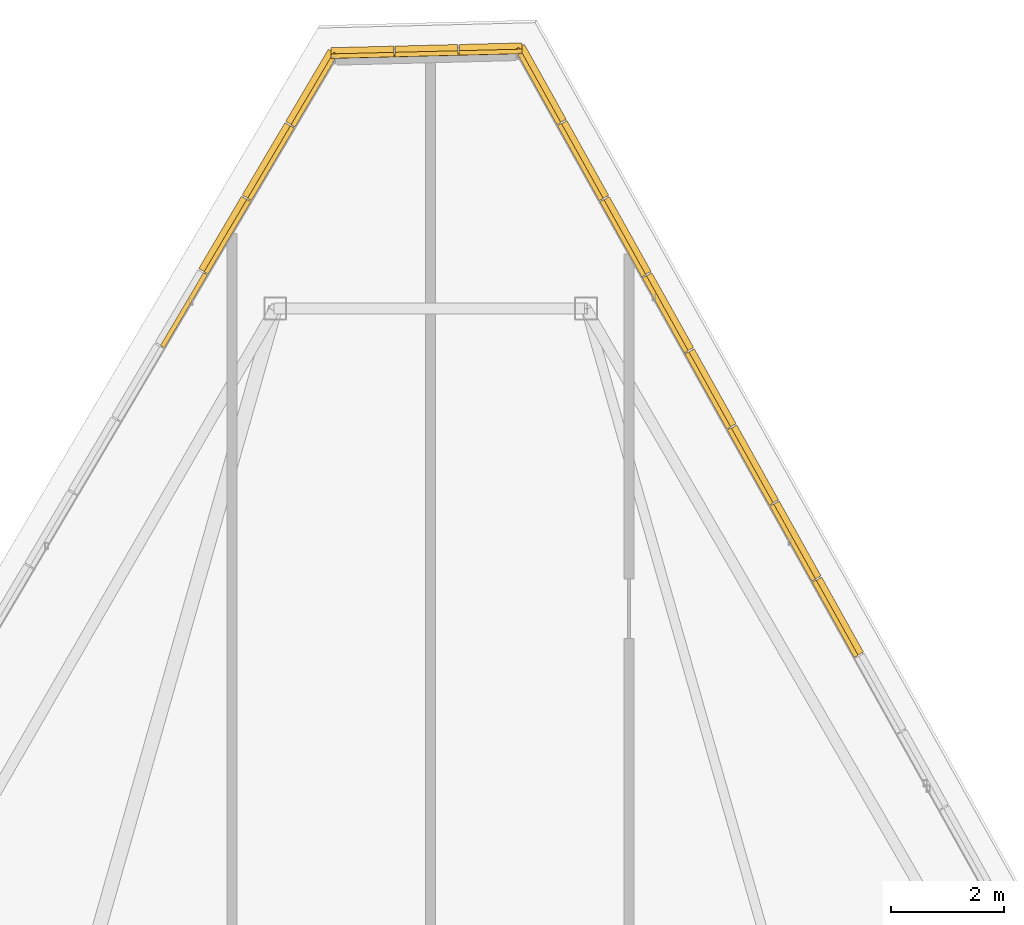
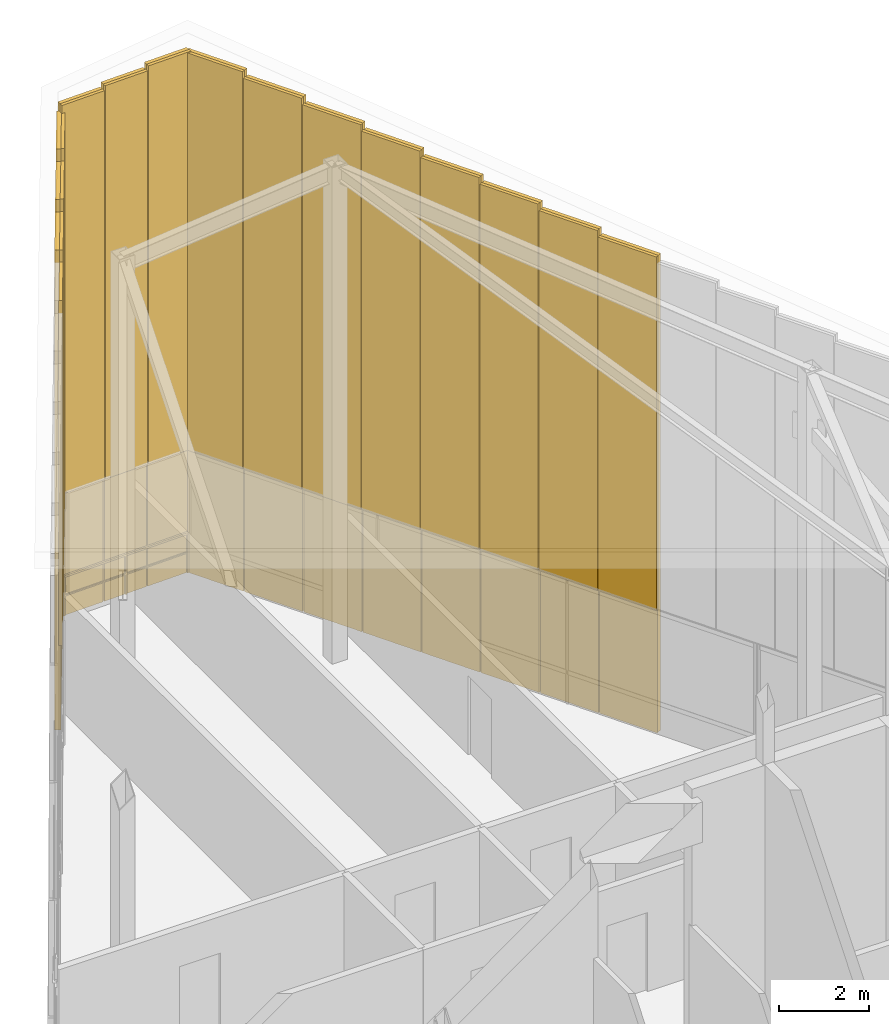
# One storey, part 50 of 50: 15 coverings, 14 shading devices, 1 railing.
"""IFC4 building model written with IfcOpenShell, lengths in metres."""

from ifc_helpers import new_model, si_unit, direction, frame, origin, origin_2d, place, context, subcontext, project, spatial, rectangle, extrude, source, transform, mapped, material, layer, layer_set, type_object, type_shapes, element, save


model = new_model("IFC4")

# Units and contexts
model_context = context("Model", 3, precision=1e-05, world=origin(), true_north=direction((0.0, 1.0)))
body_context = subcontext(model_context, "Body", "Model", "MODEL_VIEW")
ifc_project = project(units=[si_unit("LENGTHUNIT", "METRE"), si_unit("AREAUNIT", "SQUARE_METRE"), si_unit("VOLUMEUNIT", "CUBIC_METRE"), si_unit("PLANEANGLEUNIT", "RADIAN"), si_unit("MASSUNIT", "GRAM", prefix="KILO")], contexts=[model_context])

# Site, building, storey
site_placement = place(None, origin())
site = spatial("IfcSite", under=ifc_project, at=site_placement, CompositionType="ELEMENT")
building_placement = place(site_placement, origin())
building = spatial("IfcBuilding", under=site, at=building_placement, Name="Caelisora Broadcast Tower", CompositionType="ELEMENT")
storey_placement = place(building_placement, frame((0.0, 0.0, 303.39990234375)))
storey = spatial("IfcBuildingStorey", under=building, at=storey_placement, Name="L80", CompositionType="ELEMENT", Elevation=303.39990234375)

# Railing
ifc_material_1 = material(Name="Galvanised Steel Safety Guardrail", Category="steel")
ifc_layer_1 = layer(ifc_material_1, 0.048095703125, Name="Galvanised Steel Safety Guardrail")
ifc_layer_set_1 = layer_set([ifc_layer_1], Name="Galvanised Steel Safety Guardrail")
railing_type = type_object("IfcRailingType", Name="GR-1", PredefinedType="GUARDRAIL", material=ifc_layer_set_1)
railing_placement = place(storey_placement, frame((36.31298828125, 51.18603515625, 0.0)))
element("IfcRailing", 1, at=railing_placement, inside=storey, type_object=railing_type, Name="L80 balustrade GR-1 #05", PredefinedType="GUARDRAIL", context=body_context, shape_type="SweptSolid", body=[
    extrude(rectangle(XDim=0.048095703125, YDim=0.048095703125, at=origin_2d()), frame((0.0, 0.0, 1.076171875), z_axis=(0.999684901337, 0.025101753687, 0.0), x_axis=(-0.025101753687, 0.999684901337, 0.0)), (0.0, 0.0, 1.0), 3.22900390625),
    extrude(rectangle(XDim=0.03125, YDim=0.03125, at=origin_2d()), frame((0.0, 0.0, 0.550048828125), z_axis=(0.999684901337, 0.025101753687, 0.0), x_axis=(-0.025101753687, 0.999684901337, 0.0)), (0.0, 0.0, 1.0), 3.22900390625),
    extrude(rectangle(XDim=0.0419921875, YDim=0.0419921875, at=origin_2d()), origin(), (0.0, 0.0, 1.0), 1.052001953125),
    extrude(rectangle(XDim=0.0419921875, YDim=0.0419921875, at=origin_2d()), frame((1.614013671875, 0.04052734375, 0.0)), (0.0, 0.0, 1.0), 1.052001953125),
    extrude(rectangle(XDim=0.0419921875, YDim=0.0419921875, at=origin_2d()), frame((3.22802734375, 0.0810546875, 0.0)), (0.0, 0.0, 1.0), 1.052001953125),
])

# Shading device
ifc_material_2 = material(Name="Anodised Terracotta Aluminium Acoustic Louvre", Category="aluminium")
ifc_layer_2 = layer(ifc_material_2, 0.139892578125, Name="Anodised Terracotta Aluminium Acoustic Louvre")
ifc_layer_set_2 = layer_set([ifc_layer_2], Name="Anodised Terracotta Aluminium Acoustic Louvre")
shading_device_type = type_object("IfcShadingDeviceType", Name="LV-1", PredefinedType="JALOUSIE", material=ifc_layer_set_2)
shared_shape_1 = source(origin(), body_context, "Body", "SweptSolid", [
    extrude(rectangle(XDim=1.100341796875, YDim=0.139892578125, at=origin_2d()), origin(), (0.0, 0.0, 1.0), 14.197021484375),
])
shading_device_1_placement = place(storey_placement, frame((39.05810546875, 51.354736328125, -0.02001953125), z_axis=(0.0, 0.0, 1.0), x_axis=(-0.999684189283, -0.025130095443, 0.0)))
element("IfcShadingDevice", 2, at=shading_device_1_placement, inside=storey, type_object=shading_device_type, Name="L80 crown acoustic louvre #001", PredefinedType="JALOUSIE", context=body_context, shape_type="MappedRepresentation", body=[
    mapped(shared_shape_1, transform((0.0, 0.0, 0.0), scale=1.0)),
])

# Covering
ifc_material_3 = material(Name="Kiln-Fired Terracotta Spandrel Rainscreen Cladding", Category="ceramic")
ifc_layer_3 = layer(ifc_material_3, 0.044921875, Name="Kiln-Fired Terracotta Spandrel Rainscreen Cladding")
ifc_layer_set_3 = layer_set([ifc_layer_3], Name="Kiln-Fired Terracotta Spandrel Rainscreen Cladding")
covering_type = type_object("IfcCoveringType", Name="CL-1", PredefinedType="CLADDING", material=ifc_layer_set_3)
shared_shape_2 = source(origin(), body_context, "Body", "SweptSolid", [
    extrude(rectangle(XDim=1.1103515625, YDim=0.080078125, at=origin_2d()), origin(), (0.0, 0.0, 1.0), 10.846923828125),
])
covering_1_placement = place(storey_placement, frame((39.06005859375, 51.27490234375, 3.34033203125), z_axis=(0.0, 0.0, 1.0), x_axis=(-0.999684189283, -0.025130095443, 0.0)))
element("IfcCovering", 3, at=covering_1_placement, inside=storey, type_object=covering_type, Name="L80 crown fascia cladding #001", PredefinedType="CLADDING", context=body_context, shape_type="MappedRepresentation", body=[
    mapped(shared_shape_2, transform((0.0, 0.0, 0.0), scale=1.0)),
])

# Shading device
shared_shape_3 = source(origin(), body_context, "Body", "SweptSolid", [
    extrude(rectangle(XDim=1.100341796875, YDim=0.139892578125, at=origin_2d()), origin(), (0.0, 0.0, 1.0), 14.070068359375),
])
shading_device_2_placement = place(storey_placement, frame((37.927978515625, 51.326416015625, -0.02001953125), z_axis=(0.0, 0.0, 1.0), x_axis=(-0.999684189283, -0.025130095443, 0.0)))
element("IfcShadingDevice", 4, at=shading_device_2_placement, inside=storey, type_object=shading_device_type, Name="L80 crown acoustic louvre #002", PredefinedType="JALOUSIE", context=body_context, shape_type="MappedRepresentation", body=[
    mapped(shared_shape_3, transform((0.0, 0.0, 0.0), scale=1.0)),
])

# Covering
shared_shape_4 = source(origin(), body_context, "Body", "SweptSolid", [
    extrude(rectangle(XDim=1.1103515625, YDim=0.080078125, at=origin_2d()), origin(), (0.0, 0.0, 1.0), 10.719970703125),
])
covering_2_placement = place(storey_placement, frame((37.929931640625, 51.24658203125, 3.34033203125), z_axis=(0.0, 0.0, 1.0), x_axis=(-0.999684189283, -0.025130095443, 0.0)))
element("IfcCovering", 5, at=covering_2_placement, inside=storey, type_object=covering_type, Name="L80 crown fascia cladding #002", PredefinedType="CLADDING", context=body_context, shape_type="MappedRepresentation", body=[
    mapped(shared_shape_4, transform((0.0, 0.0, 0.0), scale=1.0)),
])

# Shading device
shared_shape_5 = source(origin(), body_context, "Body", "SweptSolid", [
    extrude(rectangle(XDim=1.100341796875, YDim=0.139892578125, at=origin_2d()), origin(), (0.0, 0.0, 1.0), 13.944091796875),
])
shading_device_3_placement = place(storey_placement, frame((36.798095703125, 51.298095703125, -0.02001953125), z_axis=(0.0, 0.0, 1.0), x_axis=(-0.999684189283, -0.025130095443, 0.0)))
element("IfcShadingDevice", 6, at=shading_device_3_placement, inside=storey, type_object=shading_device_type, Name="L80 crown acoustic louvre #003", PredefinedType="JALOUSIE", context=body_context, shape_type="MappedRepresentation", body=[
    mapped(shared_shape_5, transform((0.0, 0.0, 0.0), scale=1.0)),
])

# Covering
shared_shape_6 = source(origin(), body_context, "Body", "SweptSolid", [
    extrude(rectangle(XDim=1.1103515625, YDim=0.080078125, at=origin_2d()), origin(), (0.0, 0.0, 1.0), 10.593994140625),
])
covering_3_placement = place(storey_placement, frame((36.800048828125, 51.21826171875, 3.34033203125), z_axis=(0.0, 0.0, 1.0), x_axis=(-0.999684189283, -0.025130095443, 0.0)))
element("IfcCovering", 7, at=covering_3_placement, inside=storey, type_object=covering_type, Name="L80 crown fascia cladding #003", PredefinedType="CLADDING", context=body_context, shape_type="MappedRepresentation", body=[
    mapped(shared_shape_6, transform((0.0, 0.0, 0.0), scale=1.0)),
])

# Shading device
shared_shape_7 = source(origin(), body_context, "Body", "SweptSolid", [
    extrude(rectangle(XDim=1.475830078125, YDim=0.139892578125, at=origin_2d()), origin(), (0.0, 0.0, 1.0), 13.72607421875),
])
shading_device_4_placement = place(storey_placement, frame((35.88330078125, 50.655517578125, -0.02001953125), z_axis=(0.0, 0.0, 1.0), x_axis=(-0.508891180174, -0.860830858381, 0.0)))
element("IfcShadingDevice", 8, at=shading_device_4_placement, inside=storey, type_object=shading_device_type, Name="L80 crown acoustic louvre #004", PredefinedType="JALOUSIE", context=body_context, shape_type="MappedRepresentation", body=[
    mapped(shared_shape_7, transform((0.0, 0.0, 0.0), scale=1.0)),
])

# Covering
shared_shape_8 = source(origin(), body_context, "Body", "SweptSolid", [
    extrude(rectangle(XDim=1.48583984375, YDim=0.080078125, at=origin_2d()), origin(), (0.0, 0.0, 1.0), 10.3759765625),
])
covering_4_placement = place(storey_placement, frame((35.9521484375, 50.61474609375, 3.340087890625), z_axis=(0.0, 0.0, 1.0), x_axis=(-0.508891180174, -0.860830858381, 0.0)))
element("IfcCovering", 9, at=covering_4_placement, inside=storey, type_object=covering_type, Name="L80 crown fascia cladding #004", PredefinedType="CLADDING", context=body_context, shape_type="MappedRepresentation", body=[
    mapped(shared_shape_8, transform((0.0, 0.0, 0.0), scale=1.0)),
])

# Shading device
shared_shape_9 = source(origin(), body_context, "Body", "SweptSolid", [
    extrude(rectangle(XDim=1.475830078125, YDim=0.139892578125, at=origin_2d()), origin(), (0.0, 0.0, 1.0), 13.402099609375),
])
shading_device_5_placement = place(storey_placement, frame((35.116943359375, 49.359130859375, -0.02001953125), z_axis=(0.0, 0.0, 1.0), x_axis=(-0.508891180174, -0.860830858381, 0.0)))
element("IfcShadingDevice", 10, at=shading_device_5_placement, inside=storey, type_object=shading_device_type, Name="L80 crown acoustic louvre #005", PredefinedType="JALOUSIE", context=body_context, shape_type="MappedRepresentation", body=[
    mapped(shared_shape_9, transform((0.0, 0.0, 0.0), scale=1.0)),
])

# Covering
shared_shape_10 = source(origin(), body_context, "Body", "SweptSolid", [
    extrude(rectangle(XDim=1.48583984375, YDim=0.080078125, at=origin_2d()), origin(), (0.0, 0.0, 1.0), 10.052001953125),
])
covering_5_placement = place(storey_placement, frame((35.185791015625, 49.318359375, 3.34033203125), z_axis=(0.0, 0.0, 1.0), x_axis=(-0.508891180174, -0.860830858381, 0.0)))
element("IfcCovering", 11, at=covering_5_placement, inside=storey, type_object=covering_type, Name="L80 crown fascia cladding #005", PredefinedType="CLADDING", context=body_context, shape_type="MappedRepresentation", body=[
    mapped(shared_shape_10, transform((0.0, 0.0, 0.0), scale=1.0)),
])

# Shading device
shared_shape_11 = source(origin(), body_context, "Body", "SweptSolid", [
    extrude(rectangle(XDim=1.475830078125, YDim=0.139892578125, at=origin_2d()), origin(), (0.0, 0.0, 1.0), 13.077880859375),
])
shading_device_6_placement = place(storey_placement, frame((34.3505859375, 48.062744140625, -0.02001953125), z_axis=(0.0, 0.0, 1.0), x_axis=(-0.508891180174, -0.860830858381, 0.0)))
element("IfcShadingDevice", 12, at=shading_device_6_placement, inside=storey, type_object=shading_device_type, Name="L80 crown acoustic louvre #006", PredefinedType="JALOUSIE", context=body_context, shape_type="MappedRepresentation", body=[
    mapped(shared_shape_11, transform((0.0, 0.0, 0.0), scale=1.0)),
])

# Coverings
shared_shape_12 = source(origin(), body_context, "Body", "SweptSolid", [
    extrude(rectangle(XDim=1.48583984375, YDim=0.080078125, at=origin_2d()), origin(), (0.0, 0.0, 1.0), 9.72802734375),
])
covering_6_placement = place(storey_placement, frame((34.41943359375, 48.022216796875, 3.340087890625), z_axis=(0.0, 0.0, 1.0), x_axis=(-0.508891180174, -0.860830858381, 0.0)))
element("IfcCovering", 13, at=covering_6_placement, inside=storey, type_object=covering_type, Name="L80 crown fascia cladding #006", PredefinedType="CLADDING", context=body_context, shape_type="MappedRepresentation", body=[
    mapped(shared_shape_12, transform((0.0, 0.0, 0.0), scale=1.0)),
])
shared_shape_13 = source(origin(), body_context, "Body", "SweptSolid", [
    extrude(rectangle(XDim=1.48583984375, YDim=0.080078125, at=origin_2d()), origin(), (0.0, 0.0, 1.0), 9.404052734375),
])
covering_7_placement = place(storey_placement, frame((33.653076171875, 46.725830078125, 3.33984375), z_axis=(0.0, 0.0, 1.0), x_axis=(-0.508891180174, -0.860830858381, 0.0)))
element("IfcCovering", 14, at=covering_7_placement, inside=storey, type_object=covering_type, Name="L80 crown fascia cladding #007", PredefinedType="CLADDING", context=body_context, shape_type="MappedRepresentation", body=[
    mapped(shared_shape_13, transform((0.0, 0.0, 0.0), scale=1.0)),
])

# Shading device
shared_shape_14 = source(origin(), body_context, "Body", "SweptSolid", [
    extrude(rectangle(XDim=1.506591796875, YDim=0.139892578125, at=origin_2d()), origin(), (0.0, 0.0, 1.0), 12.989990234375),
])
shading_device_7_placement = place(storey_placement, frame((45.201904296875, 41.32666015625, -0.02001953125), z_axis=(0.0, 0.0, 1.0), x_axis=(-0.487250125725, 0.87326245481, 0.0)))
element("IfcShadingDevice", 15, at=shading_device_7_placement, inside=storey, type_object=shading_device_type, Name="L80 crown acoustic louvre #090", PredefinedType="JALOUSIE", context=body_context, shape_type="MappedRepresentation", body=[
    mapped(shared_shape_14, transform((0.0, 0.0, 0.0), scale=1.0)),
])

# Covering
shared_shape_15 = source(origin(), body_context, "Body", "SweptSolid", [
    extrude(rectangle(XDim=1.5166015625, YDim=0.080078125, at=origin_2d()), origin(), (0.0, 0.0, 1.0), 9.639892578125),
])
covering_8_placement = place(storey_placement, frame((45.132080078125, 41.28759765625, 3.34033203125), z_axis=(0.0, 0.0, 1.0), x_axis=(-0.487250125725, 0.87326245481, 0.0)))
element("IfcCovering", 16, at=covering_8_placement, inside=storey, type_object=covering_type, Name="L80 crown fascia cladding #090", PredefinedType="CLADDING", context=body_context, shape_type="MappedRepresentation", body=[
    mapped(shared_shape_15, transform((0.0, 0.0, 0.0), scale=1.0)),
])

# Shading device
shared_shape_16 = source(origin(), body_context, "Body", "SweptSolid", [
    extrude(rectangle(XDim=1.506591796875, YDim=0.139892578125, at=origin_2d()), origin(), (0.0, 0.0, 1.0), 13.159912109375),
])
shading_device_8_placement = place(storey_placement, frame((44.453369140625, 42.668212890625, -0.02001953125), z_axis=(0.0, 0.0, 1.0), x_axis=(-0.487250125725, 0.87326245481, 0.0)))
element("IfcShadingDevice", 17, at=shading_device_8_placement, inside=storey, type_object=shading_device_type, Name="L80 crown acoustic louvre #091", PredefinedType="JALOUSIE", context=body_context, shape_type="MappedRepresentation", body=[
    mapped(shared_shape_16, transform((0.0, 0.0, 0.0), scale=1.0)),
])

# Covering
shared_shape_17 = source(origin(), body_context, "Body", "SweptSolid", [
    extrude(rectangle(XDim=1.5166015625, YDim=0.080078125, at=origin_2d()), origin(), (0.0, 0.0, 1.0), 9.81005859375),
])
covering_9_placement = place(storey_placement, frame((44.383544921875, 42.62939453125, 3.340087890625), z_axis=(0.0, 0.0, 1.0), x_axis=(-0.487250125725, 0.87326245481, 0.0)))
element("IfcCovering", 18, at=covering_9_placement, inside=storey, type_object=covering_type, Name="L80 crown fascia cladding #091", PredefinedType="CLADDING", context=body_context, shape_type="MappedRepresentation", body=[
    mapped(shared_shape_17, transform((0.0, 0.0, 0.0), scale=1.0)),
])

# Shading device
shared_shape_18 = source(origin(), body_context, "Body", "SweptSolid", [
    extrude(rectangle(XDim=1.506591796875, YDim=0.139892578125, at=origin_2d()), origin(), (0.0, 0.0, 1.0), 13.3291015625),
])
shading_device_9_placement = place(storey_placement, frame((43.70458984375, 44.010009765625, -0.02001953125), z_axis=(0.0, 0.0, 1.0), x_axis=(-0.487250125725, 0.87326245481, 0.0)))
element("IfcShadingDevice", 19, at=shading_device_9_placement, inside=storey, type_object=shading_device_type, Name="L80 crown acoustic louvre #092", PredefinedType="JALOUSIE", context=body_context, shape_type="MappedRepresentation", body=[
    mapped(shared_shape_18, transform((0.0, 0.0, 0.0), scale=1.0)),
])

# Covering
shared_shape_19 = source(origin(), body_context, "Body", "SweptSolid", [
    extrude(rectangle(XDim=1.5166015625, YDim=0.080078125, at=origin_2d()), origin(), (0.0, 0.0, 1.0), 9.97900390625),
])
covering_10_placement = place(storey_placement, frame((43.634765625, 43.970947265625, 3.340087890625), z_axis=(0.0, 0.0, 1.0), x_axis=(-0.487250125725, 0.87326245481, 0.0)))
element("IfcCovering", 20, at=covering_10_placement, inside=storey, type_object=covering_type, Name="L80 crown fascia cladding #092", PredefinedType="CLADDING", context=body_context, shape_type="MappedRepresentation", body=[
    mapped(shared_shape_19, transform((0.0, 0.0, 0.0), scale=1.0)),
])

# Shading device
shared_shape_20 = source(origin(), body_context, "Body", "SweptSolid", [
    extrude(rectangle(XDim=1.506591796875, YDim=0.139892578125, at=origin_2d()), origin(), (0.0, 0.0, 1.0), 13.498046875),
])
shading_device_10_placement = place(storey_placement, frame((42.9560546875, 45.351806640625, -0.02001953125), z_axis=(0.0, 0.0, 1.0), x_axis=(-0.487250125725, 0.87326245481, 0.0)))
element("IfcShadingDevice", 21, at=shading_device_10_placement, inside=storey, type_object=shading_device_type, Name="L80 crown acoustic louvre #093", PredefinedType="JALOUSIE", context=body_context, shape_type="MappedRepresentation", body=[
    mapped(shared_shape_20, transform((0.0, 0.0, 0.0), scale=1.0)),
])

# Covering
shared_shape_21 = source(origin(), body_context, "Body", "SweptSolid", [
    extrude(rectangle(XDim=1.5166015625, YDim=0.080078125, at=origin_2d()), origin(), (0.0, 0.0, 1.0), 10.14794921875),
])
covering_11_placement = place(storey_placement, frame((42.88623046875, 45.312744140625, 3.340087890625), z_axis=(0.0, 0.0, 1.0), x_axis=(-0.487250125725, 0.87326245481, 0.0)))
element("IfcCovering", 22, at=covering_11_placement, inside=storey, type_object=covering_type, Name="L80 crown fascia cladding #093", PredefinedType="CLADDING", context=body_context, shape_type="MappedRepresentation", body=[
    mapped(shared_shape_21, transform((0.0, 0.0, 0.0), scale=1.0)),
])

# Shading device
shared_shape_22 = source(origin(), body_context, "Body", "SweptSolid", [
    extrude(rectangle(XDim=1.506591796875, YDim=0.139892578125, at=origin_2d()), origin(), (0.0, 0.0, 1.0), 13.66796875),
])
shading_device_11_placement = place(storey_placement, frame((42.20751953125, 46.693603515625, -0.019775390625), z_axis=(0.0, 0.0, 1.0), x_axis=(-0.487250125725, 0.87326245481, 0.0)))
element("IfcShadingDevice", 23, at=shading_device_11_placement, inside=storey, type_object=shading_device_type, Name="L80 crown acoustic louvre #094", PredefinedType="JALOUSIE", context=body_context, shape_type="MappedRepresentation", body=[
    mapped(shared_shape_22, transform((0.0, 0.0, 0.0), scale=1.0)),
])

# Covering
shared_shape_23 = source(origin(), body_context, "Body", "SweptSolid", [
    extrude(rectangle(XDim=1.5166015625, YDim=0.080078125, at=origin_2d()), origin(), (0.0, 0.0, 1.0), 10.318115234375),
])
covering_12_placement = place(storey_placement, frame((42.137451171875, 46.654541015625, 3.33984375), z_axis=(0.0, 0.0, 1.0), x_axis=(-0.487250125725, 0.87326245481, 0.0)))
element("IfcCovering", 24, at=covering_12_placement, inside=storey, type_object=covering_type, Name="L80 crown fascia cladding #094", PredefinedType="CLADDING", context=body_context, shape_type="MappedRepresentation", body=[
    mapped(shared_shape_23, transform((0.0, 0.0, 0.0), scale=1.0)),
])

# Shading device
shared_shape_24 = source(origin(), body_context, "Body", "SweptSolid", [
    extrude(rectangle(XDim=1.506591796875, YDim=0.139892578125, at=origin_2d()), origin(), (0.0, 0.0, 1.0), 13.8369140625),
])
shading_device_12_placement = place(storey_placement, frame((41.458740234375, 48.03515625, -0.019775390625), z_axis=(0.0, 0.0, 1.0), x_axis=(-0.487250125725, 0.87326245481, 0.0)))
element("IfcShadingDevice", 25, at=shading_device_12_placement, inside=storey, type_object=shading_device_type, Name="L80 crown acoustic louvre #095", PredefinedType="JALOUSIE", context=body_context, shape_type="MappedRepresentation", body=[
    mapped(shared_shape_24, transform((0.0, 0.0, 0.0), scale=1.0)),
])

# Covering
shared_shape_25 = source(origin(), body_context, "Body", "SweptSolid", [
    extrude(rectangle(XDim=1.5166015625, YDim=0.080078125, at=origin_2d()), origin(), (0.0, 0.0, 1.0), 10.487060546875),
])
covering_13_placement = place(storey_placement, frame((41.388916015625, 47.99609375, 3.33984375), z_axis=(0.0, 0.0, 1.0), x_axis=(-0.487250125725, 0.87326245481, 0.0)))
element("IfcCovering", 26, at=covering_13_placement, inside=storey, type_object=covering_type, Name="L80 crown fascia cladding #095", PredefinedType="CLADDING", context=body_context, shape_type="MappedRepresentation", body=[
    mapped(shared_shape_25, transform((0.0, 0.0, 0.0), scale=1.0)),
])

# Shading device
shared_shape_26 = source(origin(), body_context, "Body", "SweptSolid", [
    extrude(rectangle(XDim=1.506591796875, YDim=0.139892578125, at=origin_2d()), origin(), (0.0, 0.0, 1.0), 14.006103515625),
])
shading_device_13_placement = place(storey_placement, frame((40.710205078125, 49.376953125, -0.02001953125), z_axis=(0.0, 0.0, 1.0), x_axis=(-0.487250125725, 0.87326245481, 0.0)))
element("IfcShadingDevice", 27, at=shading_device_13_placement, inside=storey, type_object=shading_device_type, Name="L80 crown acoustic louvre #096", PredefinedType="JALOUSIE", context=body_context, shape_type="MappedRepresentation", body=[
    mapped(shared_shape_26, transform((0.0, 0.0, 0.0), scale=1.0)),
])

# Covering
shared_shape_27 = source(origin(), body_context, "Body", "SweptSolid", [
    extrude(rectangle(XDim=1.5166015625, YDim=0.080078125, at=origin_2d()), origin(), (0.0, 0.0, 1.0), 10.656005859375),
])
covering_14_placement = place(storey_placement, frame((40.64013671875, 49.337890625, 3.34033203125), z_axis=(0.0, 0.0, 1.0), x_axis=(-0.487250125725, 0.87326245481, 0.0)))
element("IfcCovering", 28, at=covering_14_placement, inside=storey, type_object=covering_type, Name="L80 crown fascia cladding #096", PredefinedType="CLADDING", context=body_context, shape_type="MappedRepresentation", body=[
    mapped(shared_shape_27, transform((0.0, 0.0, 0.0), scale=1.0)),
])

# Shading device
shared_shape_28 = source(origin(), body_context, "Body", "SweptSolid", [
    extrude(rectangle(XDim=1.506591796875, YDim=0.139892578125, at=origin_2d()), origin(), (0.0, 0.0, 1.0), 14.176025390625),
])
type_shapes(shading_device_type, [shared_shape_1, shared_shape_3, shared_shape_5, shared_shape_7, shared_shape_9, shared_shape_11, shared_shape_14, shared_shape_16, shared_shape_18, shared_shape_20, shared_shape_22, shared_shape_24, shared_shape_26, shared_shape_28])
shading_device_14_placement = place(storey_placement, frame((39.96142578125, 50.718505859375, -0.02001953125), z_axis=(0.0, 0.0, 1.0), x_axis=(-0.487250125725, 0.87326245481, 0.0)))
element("IfcShadingDevice", 29, at=shading_device_14_placement, inside=storey, type_object=shading_device_type, Name="L80 crown acoustic louvre #097", PredefinedType="JALOUSIE", context=body_context, shape_type="MappedRepresentation", body=[
    mapped(shared_shape_28, transform((0.0, 0.0, 0.0), scale=1.0)),
])

# Covering
shared_shape_29 = source(origin(), body_context, "Body", "SweptSolid", [
    extrude(rectangle(XDim=1.5166015625, YDim=0.080078125, at=origin_2d()), origin(), (0.0, 0.0, 1.0), 10.825927734375),
])
type_shapes(covering_type, [shared_shape_2, shared_shape_4, shared_shape_6, shared_shape_8, shared_shape_10, shared_shape_12, shared_shape_13, shared_shape_15, shared_shape_17, shared_shape_19, shared_shape_21, shared_shape_23, shared_shape_25, shared_shape_27, shared_shape_29])
covering_15_placement = place(storey_placement, frame((39.8916015625, 50.6796875, 3.34033203125), z_axis=(0.0, 0.0, 1.0), x_axis=(-0.487250125725, 0.87326245481, 0.0)))
element("IfcCovering", 30, at=covering_15_placement, inside=storey, type_object=covering_type, Name="L80 crown fascia cladding #097", PredefinedType="CLADDING", context=body_context, shape_type="MappedRepresentation", body=[
    mapped(shared_shape_29, transform((0.0, 0.0, 0.0), scale=1.0)),
])

save(model, "model.ifc")
